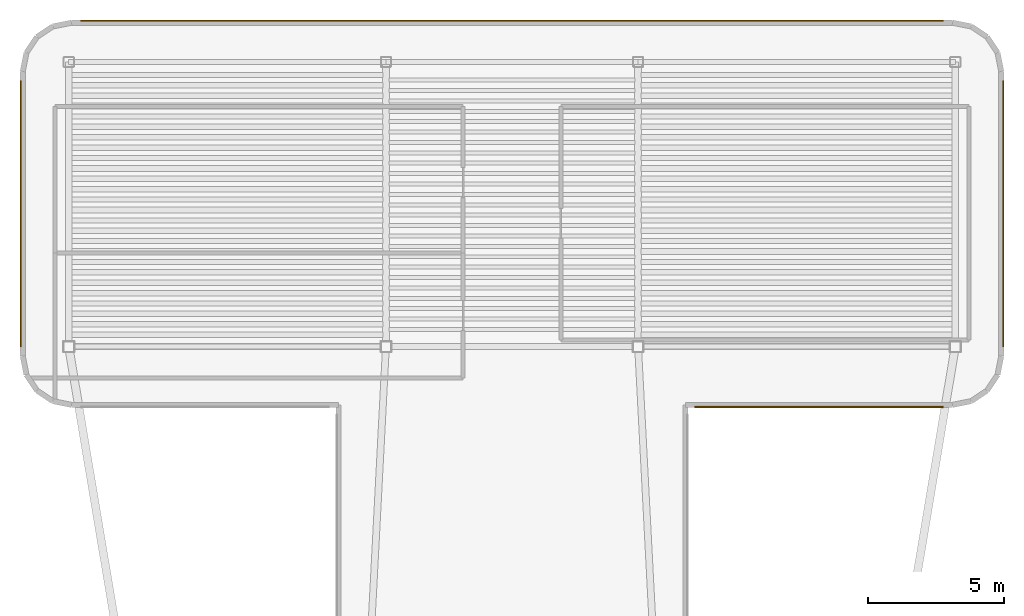
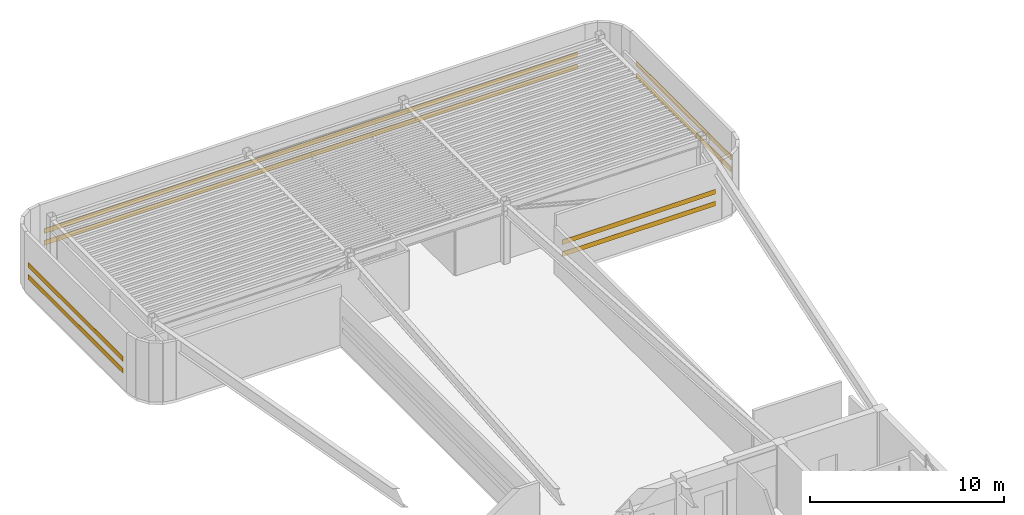
# One storey, part 6 of 6: 8 shading devices.
"""IFC4 building model written with IfcOpenShell, lengths in metres."""

import ifcopenshell
import ifcopenshell.guid

model = None  # the IFC model being written
_history = None  # IfcOwnerHistory: only IFC2X3 demands one
_inside = {}  # id of a spatial element -> (the spatial element, [elements in it])
_under = {}  # id of a project, library or spatial element -> (it, [spatial elements below it])
_declared = {}  # id of a project -> (the project, [libraries it declares])
_typed = {}  # id of a type object -> (the type object, [elements of that type])
_made_of = {}  # id of a material, layer set ... -> (it, [elements and type objects made of it])


def new_model(schema):
    """Start an empty IFC model of exactly this schema.

    Asked for "IFC4X3", IfcOpenShell would pick the latest addendum, in which some entities
    have other attributes; the version numbers below select the first issue.
    IFC2X3 requires an IfcOwnerHistory on every rooted entity: one is made here for all.
    """
    global model, _history
    if schema == "IFC4X3":
        model = ifcopenshell.file(schema_version=(4, 3, 0, 0))
    else:
        model = ifcopenshell.file(schema=schema)
    _inside.clear()
    _under.clear()
    _declared.clear()
    _typed.clear()
    _made_of.clear()
    _history = None
    if model.schema == "IFC2X3":
        org = make("IfcOrganization", Name="unknown")
        user = make(
            "IfcPersonAndOrganization",
            ThePerson=make("IfcPerson", FamilyName="unknown"),
            TheOrganization=org,
        )
        app = make(
            "IfcApplication",
            ApplicationDeveloper=org,
            Version="unknown",
            ApplicationFullName="unknown",
            ApplicationIdentifier="unknown",
        )
        _history = make(
            "IfcOwnerHistory",
            OwningUser=user,
            OwningApplication=app,
            ChangeAction="ADDED",
            CreationDate=0,
        )
    return model


def make(cls, **values):
    """One entity of the class cls with the attributes given. An attribute that is None is left unset."""
    return model.create_entity(
        cls, **{name: value for name, value in values.items() if value is not None}
    )


def rooted(cls, **values):
    """An entity with a GlobalId (a new one), such as an element, a storey or a relation."""
    return make(cls, GlobalId=ifcopenshell.guid.new(), OwnerHistory=_history, **values)


def si_unit(unit_type, name, prefix=None):
    """IfcSIUnit, for example si_unit("LENGTHUNIT", "METRE", prefix="MILLI")."""
    return make("IfcSIUnit", UnitType=unit_type, Prefix=prefix, Name=name)


def assignment(units):
    """IfcUnitAssignment: the units of a project."""
    return None if units is None else make("IfcUnitAssignment", Units=units)


def point(xyz):
    """IfcCartesianPoint."""
    return None if xyz is None else make("IfcCartesianPoint", Coordinates=xyz)


def direction(xyz):
    """IfcDirection."""
    return None if xyz is None else make("IfcDirection", DirectionRatios=xyz)


def frame(location, z_axis=None, x_axis=None):
    """IfcAxis2Placement3D, a coordinate frame: its origin and axes. An axis left out is left unset."""
    return make(
        "IfcAxis2Placement3D",
        Location=point(location),
        Axis=direction(z_axis),
        RefDirection=direction(x_axis),
    )


def frame_2d(location, x_axis=None):
    """IfcAxis2Placement2D, a coordinate frame in the plane: its origin and x axis."""
    return make(
        "IfcAxis2Placement2D", Location=point(location), RefDirection=direction(x_axis)
    )


def origin():
    """The frame at (0, 0, 0) with its axes left unset."""
    return frame((0.0, 0.0, 0.0))


def origin_2d():
    """The frame at (0, 0) in the plane with its x axis left unset."""
    return frame_2d((0.0, 0.0))


def place(relative_to, where):
    """IfcLocalPlacement: puts the frame where relative to a parent placement (None: the world)."""
    return make(
        "IfcLocalPlacement", PlacementRelTo=relative_to, RelativePlacement=where
    )


def context(
    kind, dimensions, precision=None, world=None, true_north=None, identifier=None
):
    """IfcGeometricRepresentationContext, for example the 3D "Model" context."""
    return make(
        "IfcGeometricRepresentationContext",
        ContextIdentifier=identifier,
        ContextType=kind,
        CoordinateSpaceDimension=dimensions,
        Precision=precision,
        WorldCoordinateSystem=world,
        TrueNorth=true_north,
    )


def subcontext(parent, identifier, kind, view, scale=None):
    """IfcGeometricRepresentationSubContext, for example "Body" below "Model"."""
    return make(
        "IfcGeometricRepresentationSubContext",
        ContextIdentifier=identifier,
        ContextType=kind,
        ParentContext=parent,
        TargetScale=scale,
        TargetView=view,
    )


def project(units=None, contexts=None):
    """IfcProject with its units and contexts."""
    return rooted(
        "IfcProject",
        Name="project",
        RepresentationContexts=contexts,
        UnitsInContext=assignment(units),
    )


def spatial(cls, under=None, at=None, **own):
    """A site, building, storey or space (cls), placed at a placement, below another one or the project."""
    s = rooted(cls, ObjectPlacement=at, **own)
    if under is not None:
        _under.setdefault(under.id(), (under, []))[1].append(s)
    return s


def profile(cls, at=None, kind="AREA", **sizes):
    """A parametric profile (cls). Its sizes go by their IFC names, for example OverallWidth=200.0."""
    return make(cls, ProfileType=kind, Position=at, **sizes)


def rectangle(**sizes):
    """IfcRectangleProfileDef."""
    return profile("IfcRectangleProfileDef", **sizes)


def extrude(swept, where, along, depth):
    """IfcExtrudedAreaSolid: the profile swept, set in the frame where, extruded along a direction by depth."""
    return make(
        "IfcExtrudedAreaSolid",
        SweptArea=swept,
        Position=where,
        ExtrudedDirection=direction(along),
        Depth=depth,
    )


def shape(context_of_items, identifier, shape_type, items):
    """IfcShapeRepresentation: the items that make up one representation, for example the "Body"."""
    return make(
        "IfcShapeRepresentation",
        ContextOfItems=context_of_items,
        RepresentationIdentifier=identifier,
        RepresentationType=shape_type,
        Items=items,
    )


def source(mapping_origin, context_of_items, identifier, shape_type, items):
    """IfcRepresentationMap: a shape defined once, which mapped items show again and again."""
    return make(
        "IfcRepresentationMap",
        MappingOrigin=mapping_origin,
        MappedRepresentation=shape(context_of_items, identifier, shape_type, items),
    )


def transform(
    local_origin,
    x_axis=None,
    y_axis=None,
    z_axis=None,
    scale=None,
    scale2=None,
    scale3=None,
    uniform=True,
):
    """IfcCartesianTransformationOperator3D, or its non-uniform kind. x_axis, y_axis, z_axis: its Axis1, 2, 3."""
    if uniform:
        return make(
            "IfcCartesianTransformationOperator3D",
            Axis1=direction(x_axis),
            Axis2=direction(y_axis),
            LocalOrigin=point(local_origin),
            Scale=scale,
            Axis3=direction(z_axis),
        )
    return make(
        "IfcCartesianTransformationOperator3DnonUniform",
        Axis1=direction(x_axis),
        Axis2=direction(y_axis),
        LocalOrigin=point(local_origin),
        Scale=scale,
        Axis3=direction(z_axis),
        Scale2=scale2,
        Scale3=scale3,
    )


def mapped(mapping_source, mapping_target):
    """IfcMappedItem: shows the shape of a source again, moved by a transform."""
    return make(
        "IfcMappedItem", MappingSource=mapping_source, MappingTarget=mapping_target
    )


def material(Name=None, Category=None):
    """IfcMaterial."""
    return make("IfcMaterial", Name=Name, Category=Category)


def material_profile(
    of_material, cross_section, Name=None, Category=None, Priority=None
):
    """IfcMaterialProfile: a cross section and its material."""
    return make(
        "IfcMaterialProfile",
        Name=Name,
        Material=of_material,
        Profile=cross_section,
        Priority=Priority,
        Category=Category,
    )


def profile_set(profiles, Name=None, composite=None):
    """IfcMaterialProfileSet."""
    return make(
        "IfcMaterialProfileSet",
        Name=Name,
        MaterialProfiles=profiles,
        CompositeProfile=composite,
    )


def made_of(thing, what):
    """Note that an element or type object is made of a material, layer set ...; save() writes the relation."""
    if what is not None:
        _made_of.setdefault(what.id(), (what, []))[1].append(thing)
    return thing


def type_object(cls, material=None, **own):
    """A type object (cls), such as IfcWallType, which elements share."""
    return made_of(rooted(cls, **own), material)


def element(
    cls,
    number,
    at=None,
    inside=None,
    cuts=None,
    type_object=None,
    material=None,
    context=None,
    identifier="Body",
    shape_type=None,
    held_by="IfcProductDefinitionShape",
    body=None,
    shapes=None,
    **own,
):
    """One element of the class cls, such as IfcWall. Its Tag is "e" and its number.

    at: its placement. inside: the storey or other place that contains it. cuts: it is an
    opening in that element (IfcRelVoidsElement). A single representation is given by context,
    identifier, shape_type and body (its items); several are given by shapes. held_by: the class
    of the entity that holds the representations. save() writes the other relations.
    """
    e = rooted(cls, Tag="e%d" % number, ObjectPlacement=at, **own)
    if body is not None:
        shapes = [shape(context, identifier, shape_type, body)]
    if shapes is not None:
        e.Representation = make(held_by, Representations=shapes)
    if inside is not None:
        _inside.setdefault(inside.id(), (inside, []))[1].append(e)
    if cuts is not None:
        rooted(
            "IfcRelVoidsElement", RelatingBuildingElement=cuts, RelatedOpeningElement=e
        )
    if type_object is not None:
        _typed.setdefault(type_object.id(), (type_object, []))[1].append(e)
    return made_of(e, material)


def aggregate(whole, parts):
    """IfcRelAggregates: a whole, such as a stair, and the parts it consists of."""
    return rooted("IfcRelAggregates", RelatingObject=whole, RelatedObjects=parts)


def save(model, path):
    """Write the relations noted so far, then the file.

    IfcRelAggregates (storeys below a building ...), IfcRelContainedInSpatialStructure (elements
    in a storey), IfcRelDefinesByType, IfcRelAssociatesMaterial and IfcRelDeclares: one each for
    every whole, place, type object, material and project.
    """
    for whole, parts in _under.values():
        aggregate(whole, parts)
    for where, things in _inside.values():
        rooted(
            "IfcRelContainedInSpatialStructure",
            RelatedElements=things,
            RelatingStructure=where,
        )
    for kind, things in _typed.values():
        rooted("IfcRelDefinesByType", RelatedObjects=things, RelatingType=kind)
    for what, things in _made_of.values():
        rooted("IfcRelAssociatesMaterial", RelatedObjects=things, RelatingMaterial=what)
    for by, libraries in _declared.values():
        rooted("IfcRelDeclares", RelatingContext=by, RelatedDefinitions=libraries)
    model.write(path)


model = new_model("IFC4")

# Units and contexts
model_context = context("Model", 3, precision=1e-05, world=origin(), true_north=direction((0.0, 1.0)))
body_context = subcontext(model_context, "Body", "Model", "MODEL_VIEW")
ifc_project = project(units=[si_unit("LENGTHUNIT", "METRE"), si_unit("AREAUNIT", "SQUARE_METRE"), si_unit("VOLUMEUNIT", "CUBIC_METRE"), si_unit("PLANEANGLEUNIT", "RADIAN"), si_unit("MASSUNIT", "GRAM", prefix="KILO")], contexts=[model_context])

# Site, building, storey
site_placement = place(None, origin())
site = spatial("IfcSite", under=ifc_project, at=site_placement, CompositionType="ELEMENT")
building_placement = place(site_placement, origin())
building = spatial("IfcBuilding", under=site, at=building_placement, Name="Brelvock Crest Care Tower", CompositionType="ELEMENT")
storey_placement = place(building_placement, frame((0.0, 0.0, 307.800048828125)))
storey = spatial("IfcBuildingStorey", under=building, at=storey_placement, Name="L78", CompositionType="ELEMENT", Elevation=307.800048828125)

# Shading devices
ifc_material = material(Name="Aluminium 6063-T6", Category="aluminium")
ifc_material_profile_1 = material_profile(ifc_material, rectangle(XDim=0.044921875, YDim=0.300048828125, at=origin_2d()), Name="LOUVRE45x300")
ifc_profile_set_1 = profile_set([ifc_material_profile_1], Name="Aluminium 6063-T6")
shading_device_type_1 = type_object("IfcShadingDeviceType", Name="SHD-LV1", PredefinedType="JALOUSIE", material=ifc_profile_set_1)
shared_shape_1 = source(origin(), body_context, "Body", "SweptSolid", [
    extrude(rectangle(XDim=0.044921875, YDim=0.300048828125, at=origin_2d()), origin(), (0.0, 0.0, 1.0), 9.800048828125),
])
for number, where, z_axis, x_axis, name in (
    (1, (17.875, 43.949951171875, 1.099853515625), (0.0, 1.0, 0.0), (-1.0, 0.0, 0.0), "L78 Crown Acoustic Louvre 18-1"),
    (2, (17.875, 43.949951171875, 1.849853515625), (0.0, 1.0, 0.0), (-1.0, 0.0, 0.0), "L78 Crown Acoustic Louvre 18-2"),
    (3, (54.125, 53.75, 1.099853515625), (0.0, -1.0, 0.0), (1.0, 0.0, 0.0), "L78 Crown Acoustic Louvre 28-1"),
    (4, (54.125, 53.75, 1.849853515625), (0.0, -1.0, 0.0), (1.0, 0.0, 0.0), "L78 Crown Acoustic Louvre 28-2"),
):
    element("IfcShadingDevice", number, at=place(storey_placement, frame(where, z_axis=z_axis, x_axis=x_axis)), inside=storey, type_object=shading_device_type_1, Name=name, PredefinedType="JALOUSIE", context=body_context, shape_type="MappedRepresentation", body=[
        mapped(shared_shape_1, transform((0.0, 0.0, 0.0), x_axis=(1.0, 0.0, 0.0), y_axis=(0.0, 1.0, 0.0), z_axis=(0.0, 0.0, 1.0), scale=1.0)),
    ])
ifc_material_profile_2 = material_profile(ifc_material, rectangle(XDim=0.044921875, YDim=0.300048828125, at=origin_2d()), Name="LOUVRE45x300")
ifc_profile_set_2 = profile_set([ifc_material_profile_2], Name="Aluminium 6063-T6")
shading_device_type_2 = type_object("IfcShadingDeviceType", Name="SHD-SH1", PredefinedType="SHUTTER", material=ifc_profile_set_2)
shared_shape_2 = source(origin(), body_context, "Body", "SweptSolid", [
    extrude(rectangle(XDim=0.044921875, YDim=0.300048828125, at=origin_2d()), origin(), (0.0, 0.0, 1.0), 9.14990234375),
])
for number, where, z_axis, x_axis, name in (
    (5, (51.89990234375, 41.72509765625, 1.099853515625), (-1.0, 0.0, 0.0), (0.0, -1.0, 0.0), "L78 Crown Acoustic Louvre 33-1"),
    (6, (51.89990234375, 41.72509765625, 1.849853515625), (-1.0, 0.0, 0.0), (0.0, -1.0, 0.0), "L78 Crown Acoustic Louvre 33-2"),
):
    element("IfcShadingDevice", number, at=place(storey_placement, frame(where, z_axis=z_axis, x_axis=x_axis)), inside=storey, type_object=shading_device_type_2, Name=name, PredefinedType="SHUTTER", context=body_context, shape_type="MappedRepresentation", body=[
        mapped(shared_shape_2, transform((0.0, 0.0, 0.0), x_axis=(1.0, 0.0, 0.0), y_axis=(0.0, 1.0, 0.0), z_axis=(0.0, 0.0, 1.0), scale=1.0)),
    ])
shared_shape_3 = source(origin(), body_context, "Body", "SweptSolid", [
    extrude(rectangle(XDim=0.044921875, YDim=0.300048828125, at=origin_2d()), origin(), (0.0, 0.0, 1.0), 31.7998046875),
])
for number, where, z_axis, x_axis, name in (
    (7, (20.10009765625, 55.97509765625, 1.099853515625), (1.0, 0.0, 0.0), (0.0, 1.0, 0.0), "L78 Crown Acoustic Louvre 23-1"),
    (8, (20.10009765625, 55.97509765625, 1.849853515625), (1.0, 0.0, 0.0), (0.0, 1.0, 0.0), "L78 Crown Acoustic Louvre 23-2"),
):
    element("IfcShadingDevice", number, at=place(storey_placement, frame(where, z_axis=z_axis, x_axis=x_axis)), inside=storey, type_object=shading_device_type_2, Name=name, PredefinedType="SHUTTER", context=body_context, shape_type="MappedRepresentation", body=[
        mapped(shared_shape_3, transform((0.0, 0.0, 0.0), x_axis=(1.0, 0.0, 0.0), y_axis=(0.0, 1.0, 0.0), z_axis=(0.0, 0.0, 1.0), scale=1.0)),
    ])

save(model, "model.ifc")
